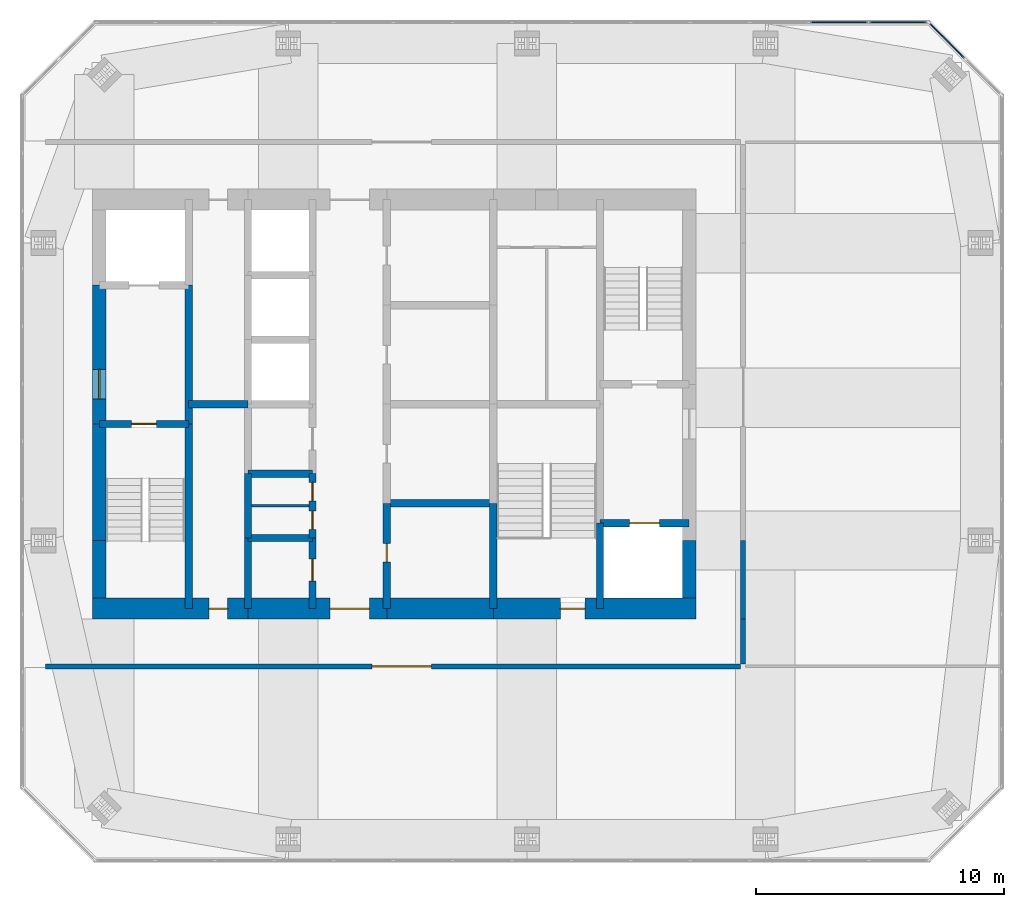
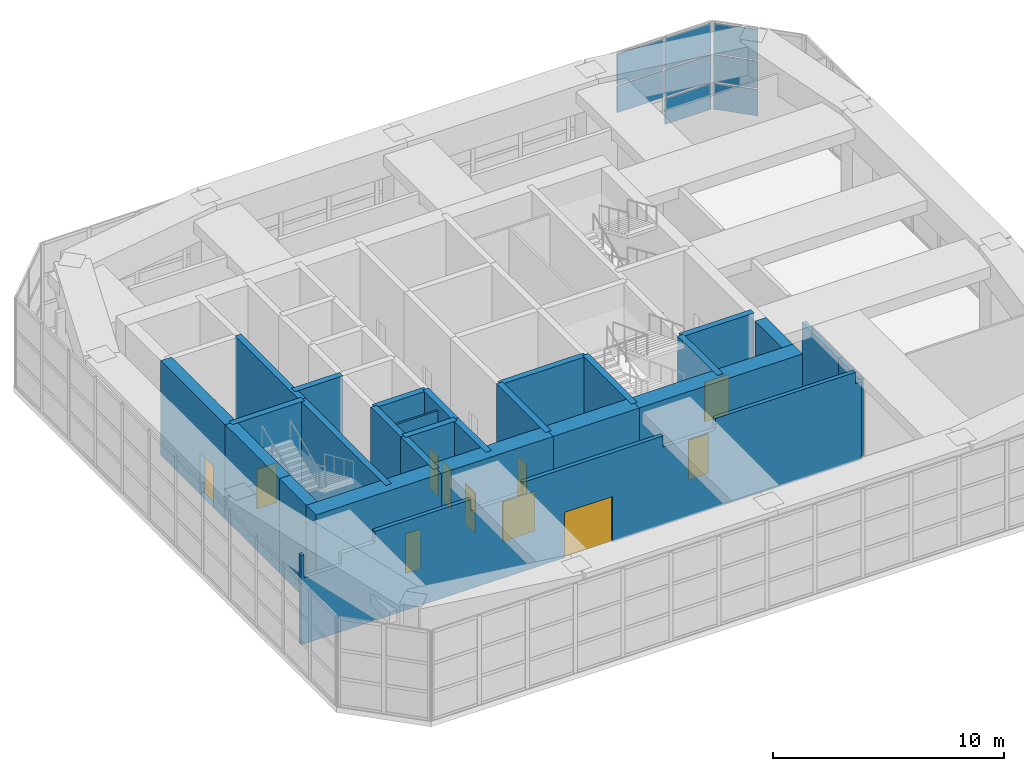
# One storey, part 11 of 14: 27 walls, 11 doors, 8 plates, 11 openings, 2 elements without a shape of their own.
"""IFC4 building model written with IfcOpenShell, lengths in metres."""

from ifc_helpers import new_model, si_unit, direction, frame, frame_2d, origin, origin_2d, place, context, subcontext, project, spatial, polyline, rectangle, outline, extrude, material, layer, layer_set, constituent, constituent_set, type_object, element, fill, aggregate, save


model = new_model("IFC4")

# Units and contexts
model_context = context("Model", 3, precision=1e-05, world=origin(), true_north=direction((0.0, 1.0)))
body_context = subcontext(model_context, "Body", "Model", "MODEL_VIEW")
ifc_project = project(units=[si_unit("LENGTHUNIT", "METRE"), si_unit("AREAUNIT", "SQUARE_METRE"), si_unit("VOLUMEUNIT", "CUBIC_METRE"), si_unit("PLANEANGLEUNIT", "RADIAN"), si_unit("MASSUNIT", "GRAM", prefix="KILO")], contexts=[model_context])

# Site, building, storey
site_placement = place(None, origin())
site = spatial("IfcSite", under=ifc_project, at=site_placement, CompositionType="ELEMENT")
building_placement = place(site_placement, origin())
building = spatial("IfcBuilding", under=site, at=building_placement, Name="Jalousie Tower", CompositionType="ELEMENT")
storey_placement = place(building_placement, frame((0.0, 0.0, 267.75)))
storey = spatial("IfcBuildingStorey", under=building, at=storey_placement, Name="L73", CompositionType="ELEMENT", Elevation=267.75)

# Curtain wall, plates
ifc_material_1 = material(Name="Aluminium curtain wall", Category="aluminium")
curtain_wall_type = type_object("IfcCurtainWallType", Name="CROWN LOUVRE WALL", PredefinedType="USERDEFINED", material=ifc_material_1)
curtain_wall_1_placement = place(storey_placement, origin())
curtain_wall_1 = element("IfcCurtainWall", 1, at=curtain_wall_1_placement, inside=storey, type_object=curtain_wall_type, Name="Crown Louvre Wall L73 4", ObjectType="CROWN LOUVRE WALL", PredefinedType="USERDEFINED")
ifc_material_2 = material(Name="Aluminium storm louvre panel", Category="aluminium")
ifc_layer_1 = layer(ifc_material_2, 0.050048828125)
ifc_layer_set_1 = layer_set([ifc_layer_1], Name="Aluminium storm louvre panel")
plate_type = type_object("IfcPlateType", Name="CROWN LOUVRE WALL PANEL", PredefinedType="CURTAIN_PANEL", material=ifc_layer_set_1)
plate_1_placement = place(storey_placement, frame((54.203857421875, 33.157470703125, 0.080078125), z_axis=(0.0, 0.0, 1.0), x_axis=(-0.707106781187, 0.707106781187, 0.0)))
plate_1 = element("IfcPlate", 2, at=plate_1_placement, type_object=plate_type, Name="CW-L panel 2.1", PredefinedType="CURTAIN_PANEL", context=body_context, shape_type="SweptSolid", body=[
    extrude(rectangle(XDim=1.975830078125, YDim=0.050048828125, at=origin_2d()), origin(), (0.0, 0.0, 1.0), 1.3798828125),
])
plate_2_placement = place(storey_placement, frame((54.203857421875, 33.157470703125, 1.5400390625), z_axis=(0.0, 0.0, 1.0), x_axis=(-0.707106781187, 0.707106781187, 0.0)))
plate_2 = element("IfcPlate", 3, at=plate_2_placement, type_object=plate_type, Name="CW-L panel 2.2", PredefinedType="CURTAIN_PANEL", context=body_context, shape_type="SweptSolid", body=[
    extrude(rectangle(XDim=1.975830078125, YDim=0.050048828125, at=origin_2d()), origin(), (0.0, 0.0, 1.0), 1.419921875),
])
plate_3_placement = place(storey_placement, frame((54.203857421875, 33.157470703125, 3.0400390625), z_axis=(0.0, 0.0, 1.0), x_axis=(-0.707106781187, 0.707106781187, 0.0)))
plate_3 = element("IfcPlate", 4, at=plate_3_placement, type_object=plate_type, Name="CW-L panel 2.3", PredefinedType="CURTAIN_PANEL", context=body_context, shape_type="SweptSolid", body=[
    extrude(rectangle(XDim=1.975830078125, YDim=0.050048828125, at=origin_2d()), origin(), (0.0, 0.0, 1.0), 1.60009765625),
])
aggregate(curtain_wall_1, [plate_1, plate_2, plate_3])

curtain_wall_2_placement = place(storey_placement, origin())
curtain_wall_2 = element("IfcCurtainWall", 5, at=curtain_wall_2_placement, inside=storey, type_object=curtain_wall_type, Name="Crown Louvre Wall L73 5", ObjectType="CROWN LOUVRE WALL", PredefinedType="USERDEFINED")
plate_4_placement = place(storey_placement, frame((52.228759765625, 33.91259765625, 0.080078125), z_axis=(0.0, 0.0, 1.0), x_axis=(-1.0, 0.0, 0.0)))
plate_4 = element("IfcPlate", 6, at=plate_4_placement, type_object=plate_type, Name="CW-L panel 1.1", PredefinedType="CURTAIN_PANEL", context=body_context, shape_type="SweptSolid", body=[
    extrude(rectangle(XDim=2.27978515625, YDim=0.050048828125, at=origin_2d()), origin(), (0.0, 0.0, 1.0), 1.3798828125),
])
plate_5_placement = place(storey_placement, frame((52.228759765625, 33.91259765625, 1.5400390625), z_axis=(0.0, 0.0, 1.0), x_axis=(-1.0, 0.0, 0.0)))
plate_5 = element("IfcPlate", 7, at=plate_5_placement, type_object=plate_type, Name="CW-L panel 1.2", PredefinedType="CURTAIN_PANEL", context=body_context, shape_type="SweptSolid", body=[
    extrude(rectangle(XDim=2.27978515625, YDim=0.050048828125, at=origin_2d()), origin(), (0.0, 0.0, 1.0), 1.419921875),
])
plate_6_placement = place(storey_placement, frame((52.228759765625, 33.91259765625, 3.0400390625), z_axis=(0.0, 0.0, 1.0), x_axis=(-1.0, 0.0, 0.0)))
plate_6 = element("IfcPlate", 8, at=plate_6_placement, type_object=plate_type, Name="CW-L panel 1.3", PredefinedType="CURTAIN_PANEL", context=body_context, shape_type="SweptSolid", body=[
    extrude(rectangle(XDim=2.27978515625, YDim=0.050048828125, at=origin_2d()), origin(), (0.0, 0.0, 1.0), 1.60009765625),
])
plate_7_placement = place(storey_placement, frame((49.848876953125, 33.91259765625, 1.5400390625), z_axis=(0.0, 0.0, 1.0), x_axis=(-1.0, 0.0, 0.0)))
plate_7 = element("IfcPlate", 9, at=plate_7_placement, type_object=plate_type, Name="CW-L panel 2.2", PredefinedType="CURTAIN_PANEL", context=body_context, shape_type="SweptSolid", body=[
    extrude(rectangle(XDim=2.31982421875, YDim=0.050048828125, at=origin_2d()), origin(), (0.0, 0.0, 1.0), 1.419921875),
])
plate_8_placement = place(storey_placement, frame((49.848876953125, 33.91259765625, 3.0400390625), z_axis=(0.0, 0.0, 1.0), x_axis=(-1.0, 0.0, 0.0)))
plate_8 = element("IfcPlate", 10, at=plate_8_placement, type_object=plate_type, Name="CW-L panel 2.3", PredefinedType="CURTAIN_PANEL", context=body_context, shape_type="SweptSolid", body=[
    extrude(rectangle(XDim=2.31982421875, YDim=0.050048828125, at=origin_2d()), origin(), (0.0, 0.0, 1.0), 1.60009765625),
])
aggregate(curtain_wall_2, [plate_4, plate_5, plate_6, plate_7, plate_8])

# Walls
ifc_material_3 = material(Name="Concrete f'c 120 MPa", Category="concrete")
ifc_layer_2 = layer(ifc_material_3, 0.300048828125)
ifc_layer_set_2 = layer_set([ifc_layer_2], Name="Concrete f'c 120 MPa")
wall_type_1 = type_object("IfcWallType", Name="CORE WALL 300", PredefinedType="SHEAR", material=ifc_layer_set_2)
wall_1_placement = place(storey_placement, frame((23.60009765625, 10.25, 0.0), z_axis=(0.0, 0.0, 1.0), x_axis=(0.0, 1.0, 0.0)))
element("IfcWall", 11, at=wall_1_placement, inside=storey, type_object=wall_type_1, Name="Core wall X23.6A L73", PredefinedType="SHEAR", context=body_context, shape_type="SweptSolid", body=[
    extrude(rectangle(XDim=7.449951171875, YDim=0.300048828125, at=frame_2d((3.72509765625, 0.0))), origin(), (0.0, 0.0, 1.0), 5.0),
])
wall_2_placement = place(storey_placement, frame((23.60009765625, 17.699951171875, 0.0), z_axis=(0.0, 0.0, 1.0), x_axis=(0.0, 1.0, 0.0)))
element("IfcWall", 12, at=wall_2_placement, inside=storey, type_object=wall_type_1, Name="Core wall X23.6B L73", PredefinedType="SHEAR", context=body_context, shape_type="SweptSolid", body=[
    extrude(rectangle(XDim=5.60009765625, YDim=0.300048828125, at=frame_2d((2.800048828125, 0.0))), origin(), (0.0, 0.0, 1.0), 5.0),
])
wall_3_placement = place(storey_placement, frame((26.0, 10.25, 0.0), z_axis=(0.0, 0.0, 1.0), x_axis=(0.0, 1.0, 0.0)))
element("IfcWall", 13, at=wall_3_placement, inside=storey, type_object=wall_type_1, Name="Core wall X26A L73", PredefinedType="SHEAR", context=body_context, shape_type="SweptSolid", body=[
    extrude(rectangle(XDim=2.85009765625, YDim=0.300048828125, at=frame_2d((1.425048828125, 0.0))), origin(), (0.0, 0.0, 1.0), 5.0),
])
wall_4_placement = place(storey_placement, frame((26.0, 13.10009765625, 0.0), z_axis=(0.0, 0.0, 1.0), x_axis=(0.0, 1.0, 0.0)))
element("IfcWall", 14, at=wall_4_placement, inside=storey, type_object=wall_type_1, Name="Core wall X26B L73", PredefinedType="SHEAR", context=body_context, shape_type="SweptSolid", body=[
    extrude(rectangle(XDim=2.599853515625, YDim=0.300048828125, at=frame_2d((1.2998046875, 0.0))), origin(), (0.0, 0.0, 1.0), 5.0),
])

# Wall, opening, door
wall_5_placement = place(storey_placement, frame((28.60009765625, 10.25, 0.0), z_axis=(0.0, 0.0, 1.0), x_axis=(0.0, 1.0, 0.0)))
wall_5 = element("IfcWall", 15, at=wall_5_placement, inside=storey, type_object=wall_type_1, Name="Core wall X28.6A L73", PredefinedType="SHEAR", context=body_context, shape_type="SweptSolid", body=[
    extrude(rectangle(XDim=2.85009765625, YDim=0.300048828125, at=frame_2d((1.425048828125, 0.0))), origin(), (0.0, 0.0, 1.0), 5.0),
])
opening_1_placement = place(wall_5_placement, frame((1.112548828125, 0.0, 0.0)))
opening_1 = element("IfcOpeningElement", 16, at=opening_1_placement, cuts=wall_5, Name="Opening D24", PredefinedType="OPENING", context=body_context, shape_type="SweptSolid", body=[
    extrude(rectangle(XDim=0.89990234375, YDim=2.10009765625, at=frame_2d((0.449951171875, 1.050048828125))), frame((0.0, 0.159912109375, 0.0), z_axis=(0.0, -1.0, 0.0), x_axis=(1.0, 0.0, 0.0)), (0.0, 0.0, 1.0), 0.320068359375),
])
ifc_material_4 = material(Name="Steel fire door", Category="steel")
door_type_1 = type_object("IfcDoorType", Name="CORE ROOM DOOR 900", OperationType="SINGLE_SWING_LEFT", PredefinedType="DOOR", material=ifc_material_4)
door_1_placement = place(opening_1_placement, origin())
door_1 = element("IfcDoor", 17, at=door_1_placement, inside=storey, type_object=door_type_1, Name="Maintenance store door", OperationType="SINGLE_SWING_RIGHT", OverallHeight=2.10009765625, OverallWidth=0.89990234375, PredefinedType="DOOR", context=body_context, shape_type="SweptSolid", body=[
    extrude(rectangle(XDim=0.89990234375, YDim=2.10009765625, at=frame_2d((0.449951171875, 1.050048828125))), frame((0.0, 0.02490234375, 0.0), z_axis=(0.0, -1.0, 0.0), x_axis=(1.0, 0.0, 0.0)), (0.0, 0.0, 1.0), 0.050048828125),
])
fill(opening_1, door_1)

# Wall, openings, doors
wall_6_placement = place(storey_placement, frame((28.60009765625, 13.10009765625, 0.0), z_axis=(0.0, 0.0, 1.0), x_axis=(0.0, 1.0, 0.0)))
wall_6 = element("IfcWall", 18, at=wall_6_placement, inside=storey, type_object=wall_type_1, Name="Core wall X28.6B L73", PredefinedType="SHEAR", context=body_context, shape_type="SweptSolid", body=[
    extrude(rectangle(XDim=2.599853515625, YDim=0.300048828125, at=frame_2d((1.2998046875, 0.0))), origin(), (0.0, 0.0, 1.0), 5.0),
])
opening_2_placement = place(wall_6_placement, frame((0.35009765625, 0.0, 0.0)))
opening_2 = element("IfcOpeningElement", 19, at=opening_2_placement, cuts=wall_6, Name="Opening D27", PredefinedType="OPENING", context=body_context, shape_type="SweptSolid", body=[
    extrude(rectangle(XDim=0.75, YDim=2.10009765625, at=frame_2d((0.375, 1.050048828125))), frame((0.0, 0.159912109375, 0.0), z_axis=(0.0, -1.0, 0.0), x_axis=(1.0, 0.0, 0.0)), (0.0, 0.0, 1.0), 0.320068359375),
])
opening_3_placement = place(wall_6_placement, frame((1.5, 0.0, 0.0)))
opening_3 = element("IfcOpeningElement", 20, at=opening_3_placement, cuts=wall_6, Name="Opening D27", PredefinedType="OPENING", context=body_context, shape_type="SweptSolid", body=[
    extrude(rectangle(XDim=0.75, YDim=2.10009765625, at=frame_2d((0.375, 1.050048828125))), frame((0.0, 0.159912109375, 0.0), z_axis=(0.0, -1.0, 0.0), x_axis=(1.0, 0.0, 0.0)), (0.0, 0.0, 1.0), 0.320068359375),
])
ifc_material_5 = material(Name="Steel fire door", Category="steel")
door_type_2 = type_object("IfcDoorType", Name="CORE ROOM DOOR 750", OperationType="SINGLE_SWING_LEFT", PredefinedType="DOOR", material=ifc_material_5)
door_2_placement = place(opening_2_placement, origin())
door_2 = element("IfcDoor", 21, at=door_2_placement, inside=storey, type_object=door_type_2, Name="Plant spares store door", OperationType="SINGLE_SWING_RIGHT", OverallHeight=2.10009765625, OverallWidth=0.75, PredefinedType="DOOR", context=body_context, shape_type="SweptSolid", body=[
    extrude(rectangle(XDim=0.75, YDim=2.10009765625, at=frame_2d((0.375, 1.050048828125))), frame((0.0, 0.02490234375, 0.0), z_axis=(0.0, -1.0, 0.0), x_axis=(1.0, 0.0, 0.0)), (0.0, 0.0, 1.0), 0.050048828125),
])
fill(opening_2, door_2)
door_3_placement = place(opening_3_placement, origin())
door_3 = element("IfcDoor", 22, at=door_3_placement, inside=storey, type_object=door_type_2, Name="Store door", OperationType="SINGLE_SWING_LEFT", OverallHeight=2.10009765625, OverallWidth=0.75, PredefinedType="DOOR", context=body_context, shape_type="SweptSolid", body=[
    extrude(rectangle(XDim=0.75, YDim=2.10009765625, at=frame_2d((0.375, 1.050048828125))), frame((0.0, 0.02490234375, 0.0), z_axis=(0.0, -1.0, 0.0), x_axis=(1.0, 0.0, 0.0)), (0.0, 0.0, 1.0), 0.050048828125),
])
fill(opening_3, door_3)

# Wall, opening, door
wall_7_placement = place(storey_placement, frame((31.60009765625, 10.25, 0.0), z_axis=(0.0, 0.0, 1.0), x_axis=(0.0, 1.0, 0.0)))
wall_7 = element("IfcWall", 23, at=wall_7_placement, inside=storey, type_object=wall_type_1, Name="Core wall X31.6A L73", PredefinedType="SHEAR", context=body_context, shape_type="SweptSolid", body=[
    extrude(rectangle(XDim=4.25, YDim=0.300048828125, at=frame_2d((2.125, 0.0))), origin(), (0.0, 0.0, 1.0), 5.0),
])
opening_4_placement = place(wall_7_placement, frame((1.875, 0.0, 0.0)))
opening_4 = element("IfcOpeningElement", 24, at=opening_4_placement, cuts=wall_7, Name="Opening D16", PredefinedType="OPENING", context=body_context, shape_type="SweptSolid", body=[
    extrude(rectangle(XDim=0.75, YDim=2.10009765625, at=frame_2d((0.375, 1.050048828125))), frame((0.0, 0.159912109375, 0.0), z_axis=(0.0, -1.0, 0.0), x_axis=(1.0, 0.0, 0.0)), (0.0, 0.0, 1.0), 0.320068359375),
])
ifc_material_6 = material(Name="Steel fire door", Category="steel")
door_type_3 = type_object("IfcDoorType", Name="RISER DOOR 750", OperationType="SINGLE_SWING_LEFT", PredefinedType="DOOR", material=ifc_material_6)
door_4_placement = place(opening_4_placement, frame((0.75, 0.0, 0.0), z_axis=(0.0, 0.0, 1.0), x_axis=(-1.0, 0.0, 0.0)))
door_4 = element("IfcDoor", 25, at=door_4_placement, inside=storey, type_object=door_type_3, Name="Refuse Room door", OperationType="SINGLE_SWING_RIGHT", OverallHeight=2.10009765625, OverallWidth=0.75, PredefinedType="DOOR", context=body_context, shape_type="SweptSolid", body=[
    extrude(rectangle(XDim=0.75, YDim=2.10009765625, at=frame_2d((0.375, 1.050048828125))), frame((0.0, 0.02490234375, 0.0), z_axis=(0.0, -1.0, 0.0), x_axis=(1.0, 0.0, 0.0)), (0.0, 0.0, 1.0), 0.050048828125),
])
fill(opening_4, door_4)

# Walls
wall_8_placement = place(storey_placement, frame((35.89990234375, 10.25, 0.0), z_axis=(0.0, 0.0, 1.0), x_axis=(0.0, 1.0, 0.0)))
element("IfcWall", 26, at=wall_8_placement, inside=storey, type_object=wall_type_1, Name="Core wall X35.9A L73", PredefinedType="SHEAR", context=body_context, shape_type="SweptSolid", body=[
    extrude(rectangle(XDim=4.25, YDim=0.300048828125, at=frame_2d((2.125, 0.0))), origin(), (0.0, 0.0, 1.0), 5.0),
])
wall_9_placement = place(storey_placement, frame((40.199951171875, 10.25, 0.0), z_axis=(0.0, 0.0, 1.0), x_axis=(0.0, 1.0, 0.0)))
element("IfcWall", 27, at=wall_9_placement, inside=storey, type_object=wall_type_1, Name="Core wall X40.2A L73", PredefinedType="SHEAR", context=body_context, shape_type="SweptSolid", body=[
    extrude(rectangle(XDim=3.449951171875, YDim=0.300048828125, at=frame_2d((1.72509765625, 0.0))), origin(), (0.0, 0.0, 1.0), 5.0),
])

# Wall, opening, door
wall_10_placement = place(storey_placement, frame((20.0, 17.699951171875, 0.0), z_axis=(0.0, 0.0, 1.0), x_axis=(1.0, 0.0, 0.0)))
wall_10 = element("IfcWall", 28, at=wall_10_placement, inside=storey, type_object=wall_type_1, Name="Core wall Y20-17.7 L73", PredefinedType="SHEAR", context=body_context, shape_type="SweptSolid", body=[
    extrude(rectangle(XDim=3.60009765625, YDim=0.300048828125, at=frame_2d((1.800048828125, 0.0))), origin(), (0.0, 0.0, 1.0), 5.0),
])
opening_5_placement = place(wall_10_placement, frame((1.300048828125, 0.0, 0.0)))
opening_5 = element("IfcOpeningElement", 29, at=opening_5_placement, cuts=wall_10, Name="Opening D10", PredefinedType="OPENING", context=body_context, shape_type="SweptSolid", body=[
    extrude(rectangle(XDim=1.0, YDim=2.10009765625, at=frame_2d((0.5, 1.050048828125))), frame((0.0, 0.159912109375, 0.0), z_axis=(0.0, -1.0, 0.0), x_axis=(1.0, 0.0, 0.0)), (0.0, 0.0, 1.0), 0.320068359375),
])
ifc_material_7 = material(Name="Steel fire door", Category="steel")
door_type_4 = type_object("IfcDoorType", Name="STAIR DOOR 1000", OperationType="SINGLE_SWING_LEFT", PredefinedType="DOOR", material=ifc_material_7)
door_5_placement = place(opening_5_placement, frame((1.0, 0.0, 0.0), z_axis=(0.0, 0.0, 1.0), x_axis=(-1.0, 0.0, 0.0)))
door_5 = element("IfcDoor", 30, at=door_5_placement, inside=storey, type_object=door_type_4, Name="Exit stair A door", OperationType="SINGLE_SWING_RIGHT", OverallHeight=2.10009765625, OverallWidth=1.0, PredefinedType="DOOR", context=body_context, shape_type="SweptSolid", body=[
    extrude(rectangle(XDim=1.0, YDim=2.10009765625, at=frame_2d((0.5, 1.050048828125))), frame((0.0, 0.02490234375, 0.0), z_axis=(0.0, -1.0, 0.0), x_axis=(1.0, 0.0, 0.0)), (0.0, 0.0, 1.0), 0.050048828125),
])
fill(opening_5, door_5)

# Walls
wall_11_placement = place(storey_placement, frame((23.60009765625, 18.5, 0.0), z_axis=(0.0, 0.0, 1.0), x_axis=(1.0, 0.0, 0.0)))
element("IfcWall", 31, at=wall_11_placement, inside=storey, type_object=wall_type_1, Name="Core wall Y23.6-18.5 L73", PredefinedType="SHEAR", context=body_context, shape_type="SweptSolid", body=[
    extrude(rectangle(XDim=2.39990234375, YDim=0.300048828125, at=frame_2d((1.199951171875, 0.0))), origin(), (0.0, 0.0, 1.0), 5.0),
])
for number, where, z_axis, x_axis, name in (
    (32, (26.0, 13.10009765625, 0.0), (0.0, 0.0, 1.0), (1.0, 0.0, 0.0), "Core wall Y26-13.1 L73"),
    (33, (26.0, 15.699951171875, 0.0), (0.0, 0.0, 1.0), (1.0, 0.0, 0.0), "Core wall Y26-15.7 L73"),
):
    element("IfcWall", number, at=place(storey_placement, frame(where, z_axis=z_axis, x_axis=x_axis)), inside=storey, type_object=wall_type_1, Name=name, PredefinedType="SHEAR", context=body_context, shape_type="SweptSolid", body=[
        extrude(rectangle(XDim=2.60009765625, YDim=0.300048828125, at=frame_2d((1.300048828125, 0.0))), origin(), (0.0, 0.0, 1.0), 5.0),
    ])
wall_12_placement = place(storey_placement, frame((31.60009765625, 14.5, 0.0), z_axis=(0.0, 0.0, 1.0), x_axis=(1.0, 0.0, 0.0)))
element("IfcWall", 34, at=wall_12_placement, inside=storey, type_object=wall_type_1, Name="Core wall Y31.6-14.5 L73", PredefinedType="SHEAR", context=body_context, shape_type="SweptSolid", body=[
    extrude(rectangle(XDim=4.2998046875, YDim=0.300048828125, at=frame_2d((2.14990234375, 0.0))), origin(), (0.0, 0.0, 1.0), 5.0),
])

# Wall, opening, door
wall_13_placement = place(storey_placement, frame((40.199951171875, 13.699951171875, 0.0), z_axis=(0.0, 0.0, 1.0), x_axis=(1.0, 0.0, 0.0)))
wall_13 = element("IfcWall", 35, at=wall_13_placement, inside=storey, type_object=wall_type_1, Name="Core wall Y40.2-13.7 L73", PredefinedType="SHEAR", context=body_context, shape_type="SweptSolid", body=[
    extrude(rectangle(XDim=3.60009765625, YDim=0.300048828125, at=frame_2d((1.800048828125, 0.0))), origin(), (0.0, 0.0, 1.0), 5.0),
])
opening_6_placement = place(wall_13_placement, frame((1.199951171875, 0.0, 0.0)))
opening_6 = element("IfcOpeningElement", 36, at=opening_6_placement, cuts=wall_13, Name="Opening LD2", PredefinedType="OPENING", context=body_context, shape_type="SweptSolid", body=[
    extrude(rectangle(XDim=1.199951171875, YDim=2.10009765625, at=frame_2d((0.60009765625, 1.050048828125))), frame((0.0, 0.159912109375, 0.0), z_axis=(0.0, -1.0, 0.0), x_axis=(1.0, 0.0, 0.0)), (0.0, 0.0, 1.0), 0.320068359375),
])
ifc_material_8 = material(Name="Steel lift landing door", Category="steel")
door_type_5 = type_object("IfcDoorType", Name="LIFT LANDING DOOR 1200", OperationType="SLIDING_TO_LEFT", PredefinedType="DOOR", material=ifc_material_8)
door_6_placement = place(opening_6_placement, origin())
door_6 = element("IfcDoor", 37, at=door_6_placement, inside=storey, type_object=door_type_5, Name="Lift F2 landing door", OperationType="SLIDING_TO_LEFT", OverallHeight=2.10009765625, OverallWidth=1.199951171875, PredefinedType="DOOR", context=body_context, shape_type="SweptSolid", body=[
    extrude(rectangle(XDim=1.199951171875, YDim=2.10009765625, at=frame_2d((0.60009765625, 1.050048828125))), frame((0.0, 0.02490234375, 0.0), z_axis=(0.0, -1.0, 0.0), x_axis=(1.0, 0.0, 0.0)), (0.0, 0.0, 1.0), 0.050048828125),
])
fill(opening_6, door_6)

ifc_material_9 = material(Name="Concrete f'c 120 MPa", Category="concrete")
ifc_layer_3 = layer(ifc_material_9, 0.550048828125)
ifc_layer_set_3 = layer_set([ifc_layer_3], Name="Concrete f'c 120 MPa")
wall_type_2 = type_object("IfcWallType", Name="CORE WALL 550", PredefinedType="SHEAR", material=ifc_layer_set_3)
wall_14_placement = place(storey_placement, frame((20.0, 23.300048828125, 0.0), z_axis=(0.0, 0.0, 1.0), x_axis=(0.0, -1.0, 0.0)))
wall_14 = element("IfcWall", 38, at=wall_14_placement, inside=storey, type_object=wall_type_2, Name="Core wall WB L73", PredefinedType="SHEAR", context=body_context, shape_type="SweptSolid", body=[
    extrude(rectangle(XDim=5.60009765625, YDim=0.550048828125, at=frame_2d((2.800048828125, 0.0))), origin(), (0.0, 0.0, 1.0), 5.0),
])
opening_7_placement = place(wall_14_placement, frame((3.39990234375, 0.0, 0.0)))
opening_7 = element("IfcOpeningElement", 39, at=opening_7_placement, cuts=wall_14, Name="Opening D11", PredefinedType="OPENING", context=body_context, shape_type="SweptSolid", body=[
    extrude(rectangle(XDim=1.199951171875, YDim=2.199951171875, at=frame_2d((0.60009765625, 1.10009765625))), frame((0.0, 0.284912109375, 0.0), z_axis=(0.0, -1.0, 0.0), x_axis=(1.0, 0.0, 0.0)), (0.0, 0.0, 1.0), 0.570068359375),
])
ifc_material_10 = material(Name="Steel fire door", Category="steel")
door_type_6 = type_object("IfcDoorType", Name="FIRE DOOR 1200", OperationType="SINGLE_SWING_LEFT", PredefinedType="DOOR", material=ifc_material_10)
door_7_placement = place(opening_7_placement, origin())
door_7 = element("IfcDoor", 40, at=door_7_placement, inside=storey, type_object=door_type_6, Name="Fire-fighting lobby A door", OperationType="SINGLE_SWING_RIGHT", OverallHeight=2.199951171875, OverallWidth=1.199951171875, PredefinedType="DOOR", context=body_context, shape_type="SweptSolid", body=[
    extrude(rectangle(XDim=1.199951171875, YDim=2.199951171875, at=frame_2d((0.60009765625, 1.10009765625))), frame((0.0, 0.02490234375, 0.0), z_axis=(0.0, -1.0, 0.0), x_axis=(1.0, 0.0, 0.0)), (0.0, 0.0, 1.0), 0.050048828125),
])
fill(opening_7, door_7)

# Walls
wall_15_placement = place(storey_placement, frame((20.0, 17.699951171875, 0.0), z_axis=(0.0, 0.0, 1.0), x_axis=(0.0, -1.0, 0.0)))
element("IfcWall", 41, at=wall_15_placement, inside=storey, type_object=wall_type_2, Name="Core wall WC L73", PredefinedType="SHEAR", context=body_context, shape_type="SweptSolid", body=[
    extrude(rectangle(XDim=4.699951171875, YDim=0.550048828125, at=frame_2d((2.35009765625, 0.0))), origin(), (0.0, 0.0, 1.0), 5.0),
])
for number, where, z_axis, x_axis, name in (
    (42, (20.0, 13.0, 0.0), (0.0, 0.0, 1.0), (0.0, -1.0, 0.0), "Core wall WD L73"),
    (43, (43.800048828125, 10.675048828125, 0.0), (0.0, 0.0, 1.0), (0.0, 1.0, 0.0), "Core wall EA L73"),
):
    element("IfcWall", number, at=place(storey_placement, frame(where, z_axis=z_axis, x_axis=x_axis)), inside=storey, type_object=wall_type_2, Name=name, PredefinedType="SHEAR", context=body_context, shape_type="SweptSolid", body=[
        extrude(rectangle(XDim=2.324951171875, YDim=0.550048828125, at=frame_2d((1.16259765625, 0.0))), origin(), (0.0, 0.0, 1.0), 5.0),
    ])

# Wall, opening, door
ifc_material_11 = material(Name="Concrete f'c 120 MPa", Category="concrete")
ifc_layer_4 = layer(ifc_material_11, 0.85009765625)
ifc_layer_set_4 = layer_set([ifc_layer_4], Name="Concrete f'c 120 MPa")
wall_type_3 = type_object("IfcWallType", Name="CORE WALL 850", PredefinedType="SHEAR", material=ifc_layer_set_4)
wall_16_placement = place(storey_placement, frame((19.72509765625, 10.25, 0.0), z_axis=(0.0, 0.0, 1.0), x_axis=(1.0, 0.0, 0.0)))
wall_16 = element("IfcWall", 44, at=wall_16_placement, inside=storey, type_object=wall_type_3, Name="Core wall SA L73", PredefinedType="SHEAR", context=body_context, shape_type="SweptSolid", body=[
    extrude(rectangle(XDim=6.27490234375, YDim=0.85009765625, at=frame_2d((3.137451171875, 0.0))), origin(), (0.0, 0.0, 1.0), 5.0),
])
opening_8_placement = place(wall_16_placement, frame((4.699951171875, 0.0, 0.0)))
opening_8 = element("IfcOpeningElement", 45, at=opening_8_placement, cuts=wall_16, Name="Opening D16", PredefinedType="OPENING", context=body_context, shape_type="SweptSolid", body=[
    extrude(rectangle(XDim=0.75, YDim=2.10009765625, at=frame_2d((0.375, 1.050048828125))), frame((0.0, 0.43505859375, 0.0), z_axis=(0.0, -1.0, 0.0), x_axis=(1.0, 0.0, 0.0)), (0.0, 0.0, 1.0), 0.8701171875),
])
door_8_placement = place(opening_8_placement, origin())
door_8 = element("IfcDoor", 46, at=door_8_placement, inside=storey, type_object=door_type_3, Name="South riser door", OperationType="SINGLE_SWING_RIGHT", OverallHeight=2.10009765625, OverallWidth=0.75, PredefinedType="DOOR", context=body_context, shape_type="SweptSolid", body=[
    extrude(rectangle(XDim=0.75, YDim=2.10009765625, at=frame_2d((0.375, 1.050048828125))), frame((0.0, 0.02490234375, 0.0), z_axis=(0.0, -1.0, 0.0), x_axis=(1.0, 0.0, 0.0)), (0.0, 0.0, 1.0), 0.050048828125),
])
fill(opening_8, door_8)

wall_17_placement = place(storey_placement, frame((26.0, 10.25, 0.0), z_axis=(0.0, 0.0, 1.0), x_axis=(1.0, 0.0, 0.0)))
wall_17 = element("IfcWall", 47, at=wall_17_placement, inside=storey, type_object=wall_type_3, Name="Core wall SB L73", PredefinedType="SHEAR", context=body_context, shape_type="SweptSolid", body=[
    extrude(rectangle(XDim=5.60009765625, YDim=0.85009765625, at=frame_2d((2.800048828125, 0.0))), origin(), (0.0, 0.0, 1.0), 5.0),
])
opening_9_placement = place(wall_17_placement, frame((3.300048828125, 0.0, 0.0)))
opening_9 = element("IfcOpeningElement", 48, at=opening_9_placement, cuts=wall_17, Name="Opening D15", PredefinedType="OPENING", context=body_context, shape_type="SweptSolid", body=[
    extrude(rectangle(XDim=1.60009765625, YDim=2.10009765625, at=frame_2d((0.800048828125, 1.050048828125))), frame((0.0, 0.43505859375, 0.0), z_axis=(0.0, -1.0, 0.0), x_axis=(1.0, 0.0, 0.0)), (0.0, 0.0, 1.0), 0.8701171875),
])
ifc_material_12 = material(Name="Steel fire door", Category="steel")
door_type_7 = type_object("IfcDoorType", Name="LIFT LOBBY DOOR 1600", OperationType="DOUBLE_DOOR_SINGLE_SWING", PredefinedType="DOOR", material=ifc_material_12)
door_9_placement = place(opening_9_placement, origin())
door_9 = element("IfcDoor", 49, at=door_9_placement, inside=storey, type_object=door_type_7, Name="Lift lobby south door", OperationType="DOUBLE_DOOR_SINGLE_SWING", OverallHeight=2.10009765625, OverallWidth=1.60009765625, PredefinedType="DOOR", context=body_context, shape_type="SweptSolid", body=[
    extrude(rectangle(XDim=1.60009765625, YDim=2.10009765625, at=frame_2d((0.800048828125, 1.050048828125))), frame((0.0, 0.02490234375, 0.0), z_axis=(0.0, -1.0, 0.0), x_axis=(1.0, 0.0, 0.0)), (0.0, 0.0, 1.0), 0.050048828125),
])
fill(opening_9, door_9)

# Wall
wall_18_placement = place(storey_placement, frame((31.60009765625, 10.25, 0.0), z_axis=(0.0, 0.0, 1.0), x_axis=(1.0, 0.0, 0.0)))
element("IfcWall", 50, at=wall_18_placement, inside=storey, type_object=wall_type_3, Name="Core wall SC L73", PredefinedType="SHEAR", context=body_context, shape_type="SweptSolid", body=[
    extrude(rectangle(XDim=4.2998046875, YDim=0.85009765625, at=frame_2d((2.14990234375, 0.0))), origin(), (0.0, 0.0, 1.0), 5.0),
])

# Wall, opening, door
wall_19_placement = place(storey_placement, frame((35.89990234375, 10.25, 0.0), z_axis=(0.0, 0.0, 1.0), x_axis=(1.0, 0.0, 0.0)))
wall_19 = element("IfcWall", 51, at=wall_19_placement, inside=storey, type_object=wall_type_3, Name="Core wall SD L73", PredefinedType="SHEAR", context=body_context, shape_type="SweptSolid", body=[
    extrude(rectangle(XDim=8.175048828125, YDim=0.85009765625, at=frame_2d((4.08740234375, 0.0))), origin(), (0.0, 0.0, 1.0), 5.0),
])
opening_10_placement = place(wall_19_placement, frame((2.699951171875, 0.0, 0.0)))
opening_10 = element("IfcOpeningElement", 52, at=opening_10_placement, cuts=wall_19, Name="Opening D10", PredefinedType="OPENING", context=body_context, shape_type="SweptSolid", body=[
    extrude(rectangle(XDim=1.0, YDim=2.10009765625, at=frame_2d((0.5, 1.050048828125))), frame((0.0, 0.43505859375, 0.0), z_axis=(0.0, -1.0, 0.0), x_axis=(1.0, 0.0, 0.0)), (0.0, 0.0, 1.0), 0.8701171875),
])
door_10_placement = place(opening_10_placement, origin())
door_10 = element("IfcDoor", 53, at=door_10_placement, inside=storey, type_object=door_type_4, Name="Exit stair C door", OperationType="SINGLE_SWING_RIGHT", OverallHeight=2.10009765625, OverallWidth=1.0, PredefinedType="DOOR", context=body_context, shape_type="SweptSolid", body=[
    extrude(rectangle(XDim=1.0, YDim=2.10009765625, at=frame_2d((0.5, 1.050048828125))), frame((0.0, 0.02490234375, 0.0), z_axis=(0.0, -1.0, 0.0), x_axis=(1.0, 0.0, 0.0)), (0.0, 0.0, 1.0), 0.050048828125),
])
fill(opening_10, door_10)

ifc_material_13 = material(Name="Concrete block ASTM C90", Category="concrete")
ifc_constituent_1 = constituent(ifc_material_13, Name="Body")
ifc_material_14 = material(Name="Render")
ifc_constituent_2 = constituent(ifc_material_14, Name="Finish")
ifc_constituent_set_1 = constituent_set(constituents=[ifc_constituent_1, ifc_constituent_2])
wall_type_4 = type_object("IfcWallType", Name="CORRIDOR WALL 200", PredefinedType="PARTITIONING", material=ifc_constituent_set_1)
wall_20_placement = place(storey_placement, frame((17.824951171875, 7.925048828125, 0.0), z_axis=(0.0, 0.0, 1.0), x_axis=(1.0, 0.0, 0.0)))
wall_20 = element("IfcWall", 54, at=wall_20_placement, inside=storey, type_object=wall_type_4, Name="Corridor Wall 200 L73", PredefinedType="PARTITIONING", context=body_context, shape_type="SweptSolid", body=[
    extrude(outline(polyline([(0.0, 0.0), (28.050048828125, 0.0), (28.050048828125, 4.719970703125), (28.050048828125, 4.1201171875), (27.739990234375, 4.1201171875), (27.739990234375, 4.719970703125), (20.735107421875, 4.719970703125), (20.735107421875, 4.1201171875), (18.114990234375, 4.1201171875), (18.114990234375, 4.719970703125), (11.110107421875, 4.719970703125), (11.110107421875, 4.1201171875), (8.489990234375, 4.1201171875), (8.489990234375, 4.719970703125), (3.692138671875, 4.719970703125), (3.692138671875, 4.1201171875), (2.013671875, 4.1201171875), (2.013671875, 3.5), (0.147216796875, 3.5), (0.147216796875, 4.719970703125), (0.0, 4.719970703125), (0.0, 0.0)])), frame((0.0, 0.10009765625, 0.0), z_axis=(0.0, -1.0, 0.0), x_axis=(1.0, 0.0, 0.0)), (0.0, 0.0, 1.0), 0.199951171875),
])
opening_11_placement = place(wall_20_placement, frame((13.175048828125, 0.0, 0.0)))
opening_11 = element("IfcOpeningElement", 55, at=opening_11_placement, cuts=wall_20, Name="Opening D9", PredefinedType="OPENING", context=body_context, shape_type="SweptSolid", body=[
    extrude(rectangle(XDim=2.39990234375, YDim=2.39990234375, at=frame_2d((1.199951171875, 1.199951171875))), frame((0.0, 0.10986328125, 0.0), z_axis=(0.0, -1.0, 0.0), x_axis=(1.0, 0.0, 0.0)), (0.0, 0.0, 1.0), 0.219970703125),
])
ifc_material_15 = material(Name="Steel fire door", Category="steel")
door_type_8 = type_object("IfcDoorType", Name="PLANT DOOR 2400", OperationType="DOUBLE_DOOR_SINGLE_SWING", PredefinedType="DOOR", material=ifc_material_15)
door_11_placement = place(opening_11_placement, frame((2.39990234375, 0.0, 0.0), z_axis=(0.0, 0.0, 1.0), x_axis=(-1.0, 0.0, 0.0)))
door_11 = element("IfcDoor", 56, at=door_11_placement, inside=storey, type_object=door_type_8, Name="Chiller plant room door", OperationType="DOUBLE_DOOR_SINGLE_SWING", OverallHeight=2.39990234375, OverallWidth=2.39990234375, PredefinedType="DOOR", context=body_context, shape_type="SweptSolid", body=[
    extrude(rectangle(XDim=2.39990234375, YDim=2.39990234375, at=frame_2d((1.199951171875, 1.199951171875))), frame((0.0, 0.02490234375, 0.0), z_axis=(0.0, -1.0, 0.0), x_axis=(1.0, 0.0, 0.0)), (0.0, 0.0, 1.0), 0.050048828125),
])
fill(opening_11, door_11)

# Walls
wall_21_placement = place(storey_placement, frame((45.97509765625, 8.02490234375, 0.0), z_axis=(0.0, 0.0, 1.0), x_axis=(0.0, 1.0, 0.0)))
element("IfcWall", 57, at=wall_21_placement, inside=storey, type_object=wall_type_4, Name="Corridor Wall 200 L73", PredefinedType="PARTITIONING", context=body_context, shape_type="SweptSolid", body=[
    extrude(outline(polyline([(0.0, 0.0), (1.800048828125, 0.0), (1.800048828125, 4.719970703125), (1.800048828125, 4.1201171875), (0.0, 4.1201171875), (0.0, 4.719970703125), (0.0, 0.0)])), frame((0.0, 0.10009765625, 0.0), z_axis=(0.0, -1.0, 0.0), x_axis=(1.0, 0.0, 0.0)), (0.0, 0.0, 1.0), 0.199951171875),
])
wall_22_placement = place(storey_placement, frame((45.97509765625, 9.824951171875, 0.0), z_axis=(0.0, 0.0, 1.0), x_axis=(0.0, 1.0, 0.0)))
element("IfcWall", 58, at=wall_22_placement, inside=storey, type_object=wall_type_4, Name="Corridor Wall 200 L73-A", PredefinedType="PARTITIONING", context=body_context, shape_type="SweptSolid", body=[
    extrude(rectangle(XDim=3.175048828125, YDim=0.199951171875, at=frame_2d((1.58740234375, 0.0))), origin(), (0.0, 0.0, 1.0), 4.1201171875),
])
ifc_material_16 = material(Name="Gypsum board", Category="gypsum")
ifc_constituent_3 = constituent(ifc_material_16, Name="Body")
ifc_material_17 = material(Name="Light-gauge steel studs ASTM A653 SS Grade 33", Category="steel")
ifc_constituent_4 = constituent(ifc_material_17, Name="Framing")
ifc_constituent_set_2 = constituent_set(constituents=[ifc_constituent_3, ifc_constituent_4])
wall_type_5 = type_object("IfcWallType", Name="PARTITION 100", PredefinedType="PARTITIONING", material=ifc_constituent_set_2)
wall_23_placement = place(storey_placement, frame((26.14990234375, 14.39990234375, 0.0), z_axis=(0.0, 0.0, 1.0), x_axis=(1.0, 0.0, 0.0)))
element("IfcWall", 59, at=wall_23_placement, inside=storey, type_object=wall_type_5, Name="Partition 100 L73", PredefinedType="PARTITIONING", context=body_context, shape_type="SweptSolid", body=[
    extrude(rectangle(XDim=2.300048828125, YDim=0.10009765625, at=frame_2d((1.14990234375, 0.0))), origin(), (0.0, 0.0, 1.0), 4.719970703125),
])

save(model, "model.ifc")
